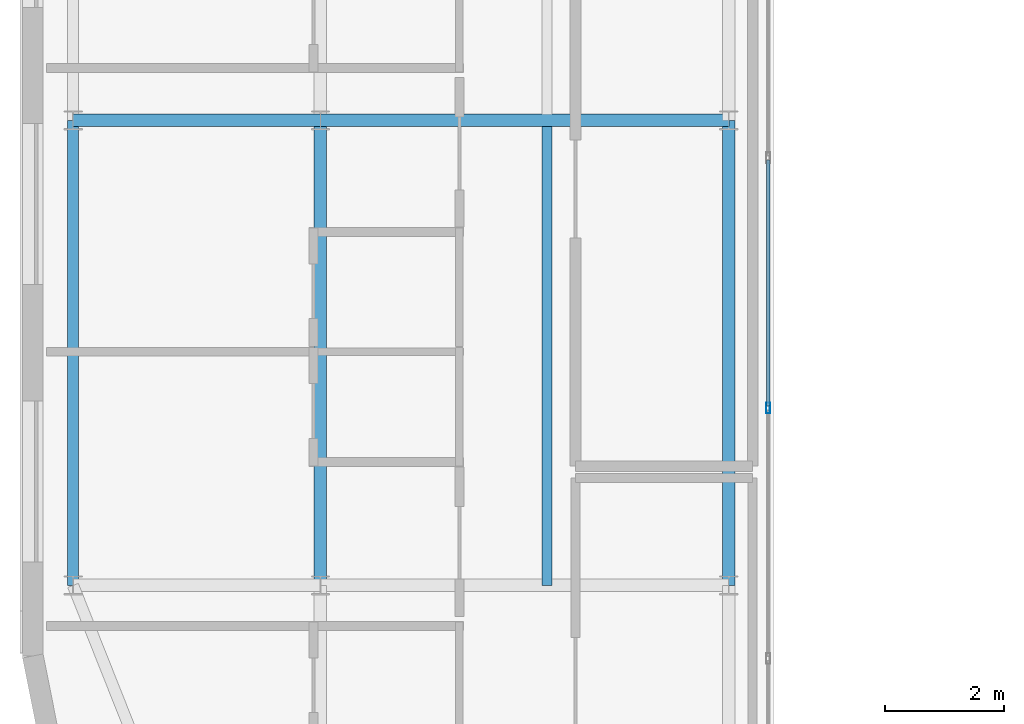
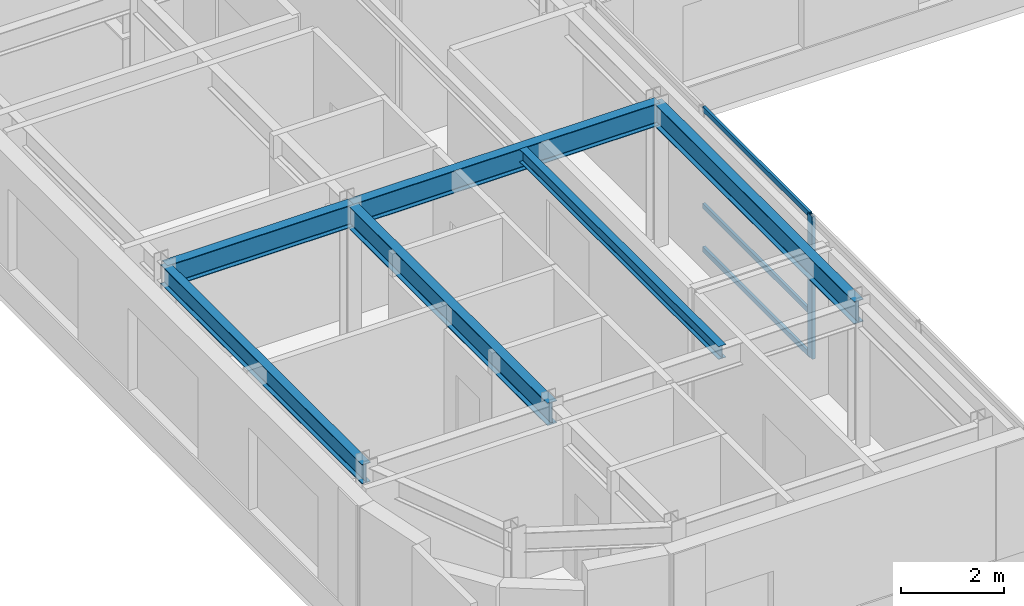
# One storey, part 5 of 20: 6 beams, 4 members, 1 element without a shape of its own.
"""IFC4 building model written with IfcOpenShell, lengths in metres."""

from ifc_helpers import new_model, si_unit, direction, frame, origin, origin_2d, place, context, subcontext, project, spatial, hollow_rectangle, i_section, extrude, source, transform, mapped, material, layer, layer_set, material_profile, profile_set, type_object, type_shapes, element, aggregate, save


model = new_model("IFC4")

# Units and contexts
model_context = context("Model", 3, precision=1e-05, world=origin(), true_north=direction((0.0, 1.0)))
body_context = subcontext(model_context, "Body", "Model", "MODEL_VIEW")
ifc_project = project(units=[si_unit("LENGTHUNIT", "METRE"), si_unit("AREAUNIT", "SQUARE_METRE"), si_unit("VOLUMEUNIT", "CUBIC_METRE"), si_unit("PLANEANGLEUNIT", "RADIAN"), si_unit("MASSUNIT", "GRAM", prefix="KILO")], contexts=[model_context])

# Site, building, storey
site_placement = place(None, origin())
site = spatial("IfcSite", under=ifc_project, at=site_placement, CompositionType="ELEMENT")
building_placement = place(site_placement, origin())
building = spatial("IfcBuilding", under=site, at=building_placement, Name="Tolvann Quenvar Hotel", CompositionType="ELEMENT")
storey_placement = place(building_placement, frame((0.0, 0.0, 248.75)))
storey = spatial("IfcBuildingStorey", under=building, at=storey_placement, Name="L66", CompositionType="ELEMENT", Elevation=248.75)

# Beams
ifc_material_1 = material(Name="Steel Grade 350", Category="steel")
ifc_material_profile_1 = material_profile(ifc_material_1, i_section(OverallWidth=0.208984375, OverallDepth=0.532958984375, WebThickness=0.01025390625, FlangeThickness=0.015625, FilletRadius=0.013916015625, at=origin_2d()), Name="530UB92")
ifc_profile_set_1 = profile_set([ifc_material_profile_1], Name="Steel Grade 350")
beam_type_1 = type_object("IfcBeamType", Name="BM_GIRD_530UB92", PredefinedType="BEAM", material=ifc_profile_set_1)
shared_shape_1 = source(origin(), body_context, "Body", "SweptSolid", [
    extrude(i_section(OverallWidth=0.208984375, OverallDepth=0.532958984375, WebThickness=0.01025390625, FlangeThickness=0.015625, FilletRadius=0.013916015625, at=origin_2d()), origin(), (0.0, 0.0, 1.0), 7.800048828125),
])
for number, where, z_axis, x_axis, name in (
    (1, (7.60009765625, 8.199951171875, 3.103515625), (0.0, 1.0, 0.0), (-1.0, 0.0, 0.0), "BM-L66-NS-C3-C4"),
    (2, (14.449951171875, 8.199951171875, 3.103515625), (0.0, 1.0, 0.0), (-1.0, 0.0, 0.0), "BM-L66-NS-D3-D4"),
):
    element("IfcBeam", number, at=place(storey_placement, frame(where, z_axis=z_axis, x_axis=x_axis)), inside=storey, type_object=beam_type_1, Name=name, PredefinedType="BEAM", context=body_context, shape_type="MappedRepresentation", body=[
        mapped(shared_shape_1, transform((0.0, 0.0, 0.0), x_axis=(1.0, 0.0, 0.0), y_axis=(0.0, 1.0, 0.0), z_axis=(0.0, 0.0, 1.0), scale=1.0)),
    ])
ifc_material_profile_2 = material_profile(ifc_material_1, i_section(OverallWidth=0.19091796875, OverallDepth=0.4599609375, WebThickness=0.010009765625, FlangeThickness=0.01611328125, FilletRadius=0.011474609375, at=origin_2d()), Name="460UB82")
ifc_profile_set_2 = profile_set([ifc_material_profile_2], Name="Steel Grade 350")
beam_type_2 = type_object("IfcBeamType", Name="BM_SPAND_460UB82", PredefinedType="SPANDREL", material=ifc_profile_set_2)
shared_shape_2 = source(origin(), body_context, "Body", "SweptSolid", [
    extrude(i_section(OverallWidth=0.19091796875, OverallDepth=0.4599609375, WebThickness=0.010009765625, FlangeThickness=0.01611328125, FilletRadius=0.011474609375, at=origin_2d()), origin(), (0.0, 0.0, 1.0), 7.800048828125),
])
type_shapes(beam_type_2, [shared_shape_2])
beam_1_placement = place(storey_placement, frame((3.449951171875, 8.199951171875, 3.139892578125), z_axis=(0.0, 1.0, 0.0), x_axis=(-1.0, 0.0, 0.0)))
element("IfcBeam", 3, at=beam_1_placement, inside=storey, type_object=beam_type_2, Name="BM-L66-NS-B3-B4", PredefinedType="SPANDREL", context=body_context, shape_type="MappedRepresentation", body=[
    mapped(shared_shape_2, transform((0.0, 0.0, 0.0), x_axis=(1.0, 0.0, 0.0), y_axis=(0.0, 1.0, 0.0), z_axis=(0.0, 0.0, 1.0), scale=1.0)),
])
shared_shape_3 = source(origin(), body_context, "Body", "SweptSolid", [
    extrude(i_section(OverallWidth=0.208984375, OverallDepth=0.532958984375, WebThickness=0.01025390625, FlangeThickness=0.015625, FilletRadius=0.013916015625, at=origin_2d()), origin(), (0.0, 0.0, 1.0), 4.150146484375),
])
beam_2_placement = place(storey_placement, frame((3.449951171875, 16.0, 3.103515625), z_axis=(1.0, 0.0, 0.0), x_axis=(0.0, 1.0, 0.0)))
element("IfcBeam", 4, at=beam_2_placement, inside=storey, type_object=beam_type_1, Name="BM-L66-EW-4-B4-C4", PredefinedType="BEAM", context=body_context, shape_type="MappedRepresentation", body=[
    mapped(shared_shape_3, transform((0.0, 0.0, 0.0), x_axis=(1.0, 0.0, 0.0), y_axis=(0.0, 1.0, 0.0), z_axis=(0.0, 0.0, 1.0), scale=1.0)),
])
shared_shape_4 = source(origin(), body_context, "Body", "SweptSolid", [
    extrude(i_section(OverallWidth=0.208984375, OverallDepth=0.532958984375, WebThickness=0.01025390625, FlangeThickness=0.015625, FilletRadius=0.013916015625, at=origin_2d()), origin(), (0.0, 0.0, 1.0), 6.849853515625),
])
type_shapes(beam_type_1, [shared_shape_1, shared_shape_3, shared_shape_4])
beam_3_placement = place(storey_placement, frame((7.60009765625, 16.0, 3.103515625), z_axis=(1.0, 0.0, 0.0), x_axis=(0.0, 1.0, 0.0)))
element("IfcBeam", 5, at=beam_3_placement, inside=storey, type_object=beam_type_1, Name="BM-L66-EW-4-C4-D4", PredefinedType="BEAM", context=body_context, shape_type="MappedRepresentation", body=[
    mapped(shared_shape_4, transform((0.0, 0.0, 0.0), x_axis=(1.0, 0.0, 0.0), y_axis=(0.0, 1.0, 0.0), z_axis=(0.0, 0.0, 1.0), scale=1.0)),
])
ifc_material_profile_3 = material_profile(ifc_material_1, i_section(OverallWidth=0.166015625, OverallDepth=0.306884765625, WebThickness=0.006591796875, FlangeThickness=0.01171875, FilletRadius=0.011474609375, at=origin_2d()), Name="310UB46")
ifc_profile_set_3 = profile_set([ifc_material_profile_3], Name="Steel Grade 350")
beam_type_3 = type_object("IfcBeamType", Name="BM_JOIST_310UB46", PredefinedType="JOIST", material=ifc_profile_set_3)
shared_shape_5 = source(origin(), body_context, "Body", "SweptSolid", [
    extrude(i_section(OverallWidth=0.166015625, OverallDepth=0.306884765625, WebThickness=0.006591796875, FlangeThickness=0.01171875, FilletRadius=0.011474609375, at=origin_2d()), origin(), (0.0, 0.0, 1.0), 7.70166015625),
])
type_shapes(beam_type_3, [shared_shape_5])
beam_4_placement = place(storey_placement, frame((11.39990234375, 8.199951171875, 3.216552734375), z_axis=(0.0, 1.0, 0.0), x_axis=(-1.0, 0.0, 0.0)))
element("IfcBeam", 6, at=beam_4_placement, inside=storey, type_object=beam_type_3, Name="BJ-L66-114-82", PredefinedType="JOIST", context=body_context, shape_type="MappedRepresentation", body=[
    mapped(shared_shape_5, transform((0.0, 0.0, 0.0), x_axis=(1.0, 0.0, 0.0), y_axis=(0.0, 1.0, 0.0), z_axis=(0.0, 0.0, 1.0), scale=1.0)),
])

# Curtain wall, members
ifc_material_2 = material(Name="Thermally broken anodised architectural aluminium 6063-T6 and laminated low-E glass", Category="aluminium")
ifc_layer = layer(ifc_material_2, 0.179931640625)
ifc_layer_set = layer_set([ifc_layer], Name="Thermally broken anodised architectural aluminium 6063-T6 and laminated low-E glass")
curtain_wall_type = type_object("IfcCurtainWallType", Name="CW_SYS_PORTAL_05", PredefinedType="USERDEFINED", material=ifc_layer_set)
curtain_wall_placement = place(storey_placement, origin())
curtain_wall = element("IfcCurtainWall", 7, at=curtain_wall_placement, inside=storey, type_object=curtain_wall_type, Name="Curtain Wall CW-PORTAL-05 (CWR-L66-E05)", ObjectType="UNITISED CURTAIN WALL", PredefinedType="USERDEFINED")
ifc_material_3 = material(Name="Anodised architectural aluminium 6063-T6 framing", Category="aluminium")
ifc_material_profile_4 = material_profile(ifc_material_3, hollow_rectangle(XDim=0.070068359375, YDim=0.179931640625, WallThickness=0.00390625, at=origin_2d()), Name="180x70x4RHS")
ifc_profile_set_4 = profile_set([ifc_material_profile_4], Name="Anodised architectural aluminium 6063-T6 framing")
member_type_1 = type_object("IfcMemberType", Name="CW_MULL_180x70", PredefinedType="MULLION", material=ifc_profile_set_4)
shared_shape_6 = source(origin(), body_context, "Body", "SweptSolid", [
    extrude(hollow_rectangle(XDim=0.070068359375, YDim=0.179931640625, WallThickness=0.00390625, at=origin_2d()), origin(), (0.0, 0.0, 1.0), 3.3701171875),
])
type_shapes(member_type_1, [shared_shape_6])
member_1_placement = place(storey_placement, frame((15.110107421875, 11.175048828125, 0.0), z_axis=(0.0, 0.0, 1.0), x_axis=(-1.0, 0.0, 0.0)))
member_1 = element("IfcMember", 8, at=member_1_placement, type_object=member_type_1, Name="CW-PORTAL-05 mullion 3", PredefinedType="MULLION", context=body_context, shape_type="MappedRepresentation", body=[
    mapped(shared_shape_6, transform((0.0, 0.0, 0.0), x_axis=(1.0, 0.0, 0.0), y_axis=(0.0, 1.0, 0.0), z_axis=(0.0, 0.0, 1.0), scale=1.0)),
])
ifc_material_profile_5 = material_profile(ifc_material_3, hollow_rectangle(XDim=0.06005859375, YDim=0.1201171875, WallThickness=0.00341796875, at=origin_2d()), Name="120x60x3.5RHS")
ifc_profile_set_5 = profile_set([ifc_material_profile_5], Name="Anodised architectural aluminium 6063-T6 framing")
member_type_2 = type_object("IfcMemberType", Name="CW_TRAN_120x60", PredefinedType="USERDEFINED", material=ifc_profile_set_5)
shared_shape_7 = source(origin(), body_context, "Body", "SweptSolid", [
    extrude(hollow_rectangle(XDim=0.06005859375, YDim=0.1201171875, WallThickness=0.00341796875, at=origin_2d()), origin(), (0.0, 0.0, 1.0), 4.130126953125),
])
type_shapes(member_type_2, [shared_shape_7])
member_2_placement = place(storey_placement, frame((15.110107421875, 11.2099609375, 0.030029296875), z_axis=(0.0, 1.0, 0.0), x_axis=(-1.0, 0.0, 0.0)))
member_2 = element("IfcMember", 9, at=member_2_placement, type_object=member_type_2, Name="CW-PORTAL-05 transom 3.1", ObjectType="TRANSOM", PredefinedType="USERDEFINED", context=body_context, shape_type="MappedRepresentation", body=[
    mapped(shared_shape_7, transform((0.0, 0.0, 0.0), x_axis=(1.0, 0.0, 0.0), y_axis=(0.0, 1.0, 0.0), z_axis=(0.0, 0.0, 1.0), scale=1.0)),
])
member_3_placement = place(storey_placement, frame((15.110107421875, 11.2099609375, 1.050048828125), z_axis=(0.0, 1.0, 0.0), x_axis=(-1.0, 0.0, 0.0)))
member_3 = element("IfcMember", 10, at=member_3_placement, type_object=member_type_2, Name="CW-PORTAL-05 transom 3.2", ObjectType="TRANSOM", PredefinedType="USERDEFINED", context=body_context, shape_type="MappedRepresentation", body=[
    mapped(shared_shape_7, transform((0.0, 0.0, 0.0), x_axis=(1.0, 0.0, 0.0), y_axis=(0.0, 1.0, 0.0), z_axis=(0.0, 0.0, 1.0), scale=1.0)),
])
member_4_placement = place(storey_placement, frame((15.110107421875, 11.2099609375, 3.340087890625), z_axis=(0.0, 1.0, 0.0), x_axis=(-1.0, 0.0, 0.0)))
member_4 = element("IfcMember", 11, at=member_4_placement, type_object=member_type_2, Name="CW-PORTAL-05 transom 3.3", ObjectType="TRANSOM", PredefinedType="USERDEFINED", context=body_context, shape_type="MappedRepresentation", body=[
    mapped(shared_shape_7, transform((0.0, 0.0, 0.0), x_axis=(1.0, 0.0, 0.0), y_axis=(0.0, 1.0, 0.0), z_axis=(0.0, 0.0, 1.0), scale=1.0)),
])
aggregate(curtain_wall, [member_1, member_2, member_3, member_4])

save(model, "model.ifc")
